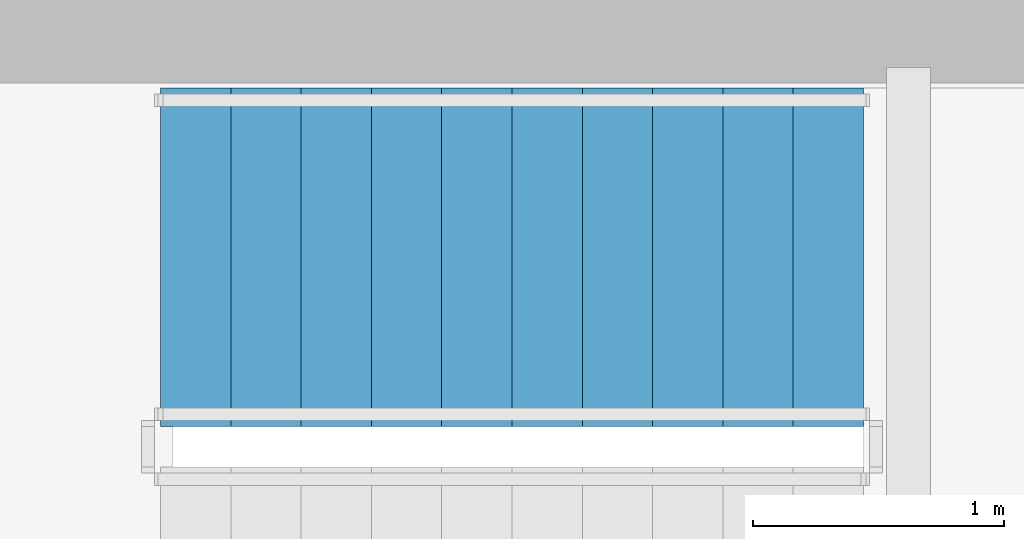
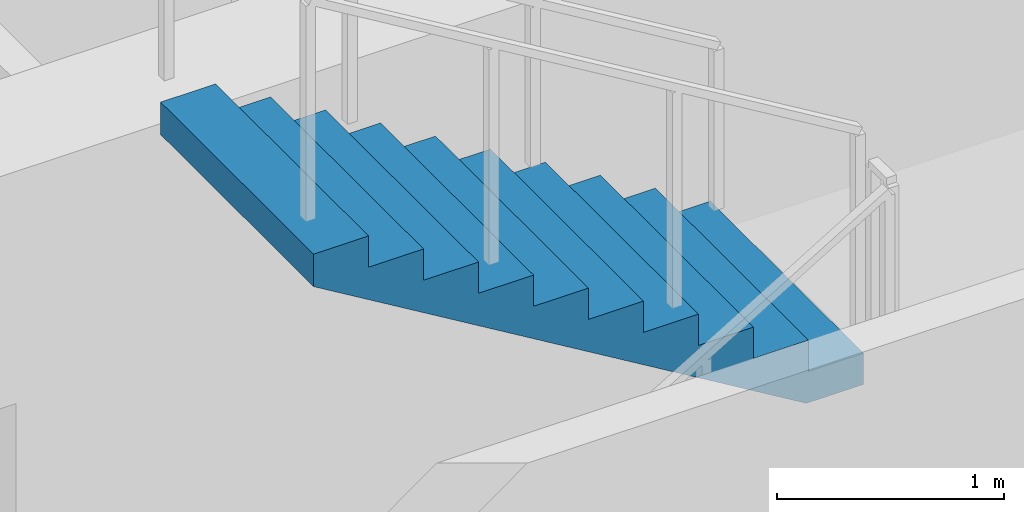
# One storey, part 19 of 22: 1 stair flight, 1 element without a shape of its own.
"""IFC4 building model written with IfcOpenShell, lengths in metres."""

from ifc_helpers import new_model, si_unit, direction, frame, origin, place, context, subcontext, project, spatial, polyline, outline, extrude, material, type_object, element, aggregate, save


model = new_model("IFC4")

# Units and contexts
model_context = context("Model", 3, precision=1e-05, world=origin(), true_north=direction((0.0, 1.0)))
body_context = subcontext(model_context, "Body", "Model", "MODEL_VIEW")
ifc_project = project(units=[si_unit("LENGTHUNIT", "METRE"), si_unit("AREAUNIT", "SQUARE_METRE"), si_unit("VOLUMEUNIT", "CUBIC_METRE"), si_unit("PLANEANGLEUNIT", "RADIAN"), si_unit("MASSUNIT", "GRAM", prefix="KILO")], contexts=[model_context])

# Site, building, storey
site_placement = place(None, origin())
site = spatial("IfcSite", under=ifc_project, at=site_placement, CompositionType="ELEMENT")
building_placement = place(site_placement, origin())
building = spatial("IfcBuilding", under=site, at=building_placement, Name="Qianvela Tower", CompositionType="ELEMENT")
storey_placement = place(building_placement, frame((0.0, 0.0, 44.199951171875)))
storey = spatial("IfcBuildingStorey", under=building, at=storey_placement, Name="L10", CompositionType="ELEMENT", Elevation=44.199951171875)

# Stair, stair flight
ifc_material_1 = material(Name="Concrete C40", Category="concrete")
stair_type = type_object("IfcStairType", Name="ST-DOGLEG-1350-R168-N22", PredefinedType="HALF_TURN_STAIR", material=ifc_material_1)
stair_placement = place(storey_placement, origin())
stair = element("IfcStair", 1, at=stair_placement, inside=storey, type_object=stair_type, Name="L10 Smoke-Proof Core Stair ST-1", PredefinedType="HALF_TURN_STAIR")
ifc_material_2 = material(Name="Concrete C40", Category="concrete")
stair_flight_type = type_object("IfcStairFlightType", Name="STF-STRAIGHT-R168-P11", PredefinedType="STRAIGHT", material=ifc_material_2)
stair_flight_placement = place(storey_placement, frame((35.0, 31.72509765625, 1.85009765625), z_axis=(0.0, 0.0, 1.0), x_axis=(-1.0, 0.0, 0.0)))
stair_flight = element("IfcStairFlight", 2, at=stair_flight_placement, type_object=stair_flight_type, Name="ST-1 flight 2", NumberOfRisers=11, NumberOfTreads=10, PredefinedType="STRAIGHT", RiserHeight=0.168181818, TreadLength=0.28, context=body_context, shape_type="SweptSolid", body=[
    extrude(outline(polyline([(0.0, 0.0), (0.0, 0.168212890625), (0.280029296875, 0.168212890625), (0.280029296875, 0.33642578125), (0.56005859375, 0.33642578125), (0.56005859375, 0.504638671875), (0.840087890625, 0.504638671875), (0.840087890625, 0.672607421875), (1.1201171875, 0.672607421875), (1.1201171875, 0.8408203125), (1.39990234375, 0.8408203125), (1.39990234375, 1.009033203125), (1.679931640625, 1.009033203125), (1.679931640625, 1.17724609375), (1.9599609375, 1.17724609375), (1.9599609375, 1.345458984375), (2.239990234375, 1.345458984375), (2.239990234375, 1.513671875), (2.52001953125, 1.513671875), (2.52001953125, 1.681884765625), (2.800048828125, 1.681884765625), (2.800048828125, 1.85009765625), (2.800048828125, 1.5068359375), (0.291015625, 0.0), (0.0, 0.0)])), frame((0.0, 0.675048828125, 0.0), z_axis=(0.0, -1.0, 0.0), x_axis=(1.0, 0.0, 0.0)), (0.0, 0.0, 1.0), 1.35009765625),
])
aggregate(stair, [stair_flight])

save(model, "model.ifc")
